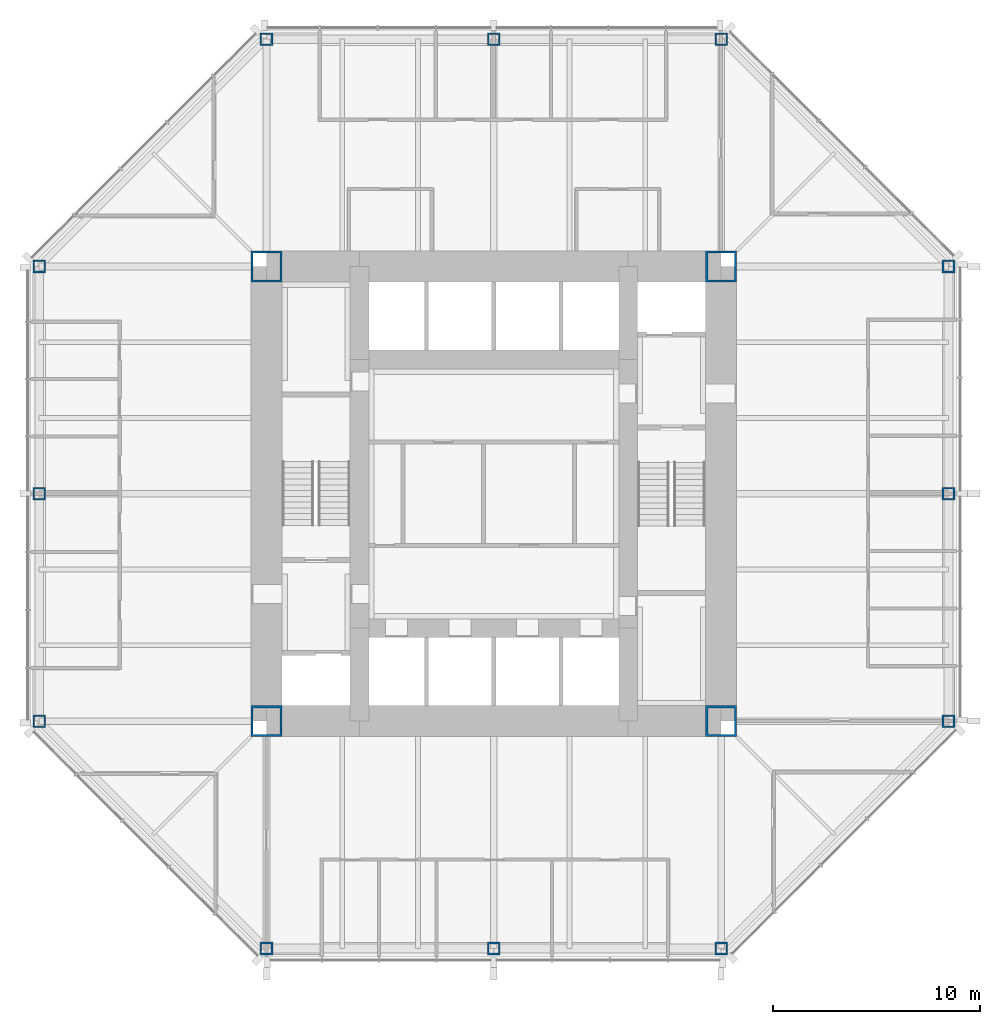
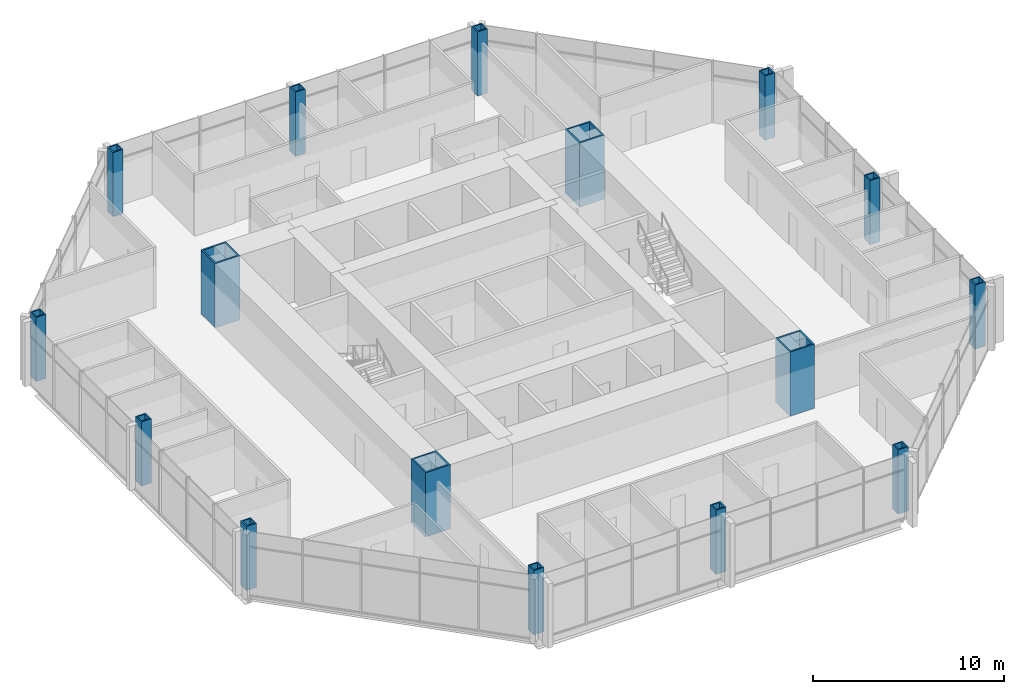
# One storey, part 1 of 12: 16 columns.
"""IFC4 building model written with IfcOpenShell, lengths in metres."""

from ifc_helpers import new_model, si_unit, direction, frame, origin, origin_2d, place, context, subcontext, project, spatial, hollow_rectangle, extrude, material, material_profile, profile_set, type_object, element, save


model = new_model("IFC4")

# Units and contexts
model_context = context("Model", 3, precision=1e-05, world=origin(), true_north=direction((0.0, 1.0)))
body_context = subcontext(model_context, "Body", "Model", "MODEL_VIEW")
ifc_project = project(units=[si_unit("LENGTHUNIT", "METRE"), si_unit("AREAUNIT", "SQUARE_METRE"), si_unit("VOLUMEUNIT", "CUBIC_METRE"), si_unit("PLANEANGLEUNIT", "RADIAN"), si_unit("MASSUNIT", "GRAM", prefix="KILO")], contexts=[model_context])

# Site, building, storey
site_placement = place(None, origin())
site = spatial("IfcSite", under=ifc_project, at=site_placement, CompositionType="ELEMENT")
building_placement = place(site_placement, origin())
building = spatial("IfcBuilding", under=site, at=building_placement, Name="Trevanion Tower", CompositionType="ELEMENT")
storey_placement = place(building_placement, frame((0.0, 0.0, 162.300048828125)))
storey = spatial("IfcBuildingStorey", under=building, at=storey_placement, Name="L38", CompositionType="ELEMENT", Elevation=162.300048828125)

# Columns
ifc_material_1 = material(Name="Steel ASTM A572 Grade 50", Category="steel")
ifc_material_profile_1 = material_profile(ifc_material_1, hollow_rectangle(XDim=0.609619140625, YDim=0.609619140625, WallThickness=0.076171875, at=origin_2d()), Name="BOX24X24X3")
ifc_profile_set_1 = profile_set([ifc_material_profile_1], Name="Steel ASTM A572 Grade 50")
column_type_1 = type_object("IfcColumnType", Name="C4 BOX24X24X3", PredefinedType="COLUMN", material=ifc_profile_set_1)
for number, where, z_axis, x_axis, name in (
    (1, (-22.0, 0.0, 0.0), (0.0, 0.0, 1.0), (0.0, 1.0, 0.0), "C4 4/H L38"),
    (2, (-22.0, -11.0, 0.0), (0.0, 0.0, 1.0), (0.0, 1.0, 0.0), "C4 4/F L38"),
    (3, (-11.0, -22.0, 0.0), (0.0, 0.0, 1.0), (1.0, 0.0, 0.0), "C4 8/B L38"),
    (4, (0.0, -22.0, 0.0), (0.0, 0.0, 1.0), (1.0, 0.0, 0.0), "C4 10/B L38"),
    (5, (11.0, -22.0, 0.0), (0.0, 0.0, 1.0), (1.0, 0.0, 0.0), "C4 12/B L38"),
    (6, (22.0, -11.0, 0.0), (0.0, 0.0, 1.0), (0.0, 1.0, 0.0), "C4 16/F L38"),
    (7, (22.0, 0.0, 0.0), (0.0, 0.0, 1.0), (0.0, 1.0, 0.0), "C4 16/H L38"),
    (8, (22.0, 11.0, 0.0), (0.0, 0.0, 1.0), (0.0, 1.0, 0.0), "C4 16/K L38"),
    (9, (11.0, 22.0, 0.0), (0.0, 0.0, 1.0), (1.0, 0.0, 0.0), "C4 12/P L38"),
    (10, (0.0, 22.0, 0.0), (0.0, 0.0, 1.0), (1.0, 0.0, 0.0), "C4 10/P L38"),
    (11, (-11.0, 22.0, 0.0), (0.0, 0.0, 1.0), (1.0, 0.0, 0.0), "C4 8/P L38"),
    (12, (-22.0, 11.0, 0.0), (0.0, 0.0, 1.0), (0.0, 1.0, 0.0), "C4 4/K L38"),
):
    element("IfcColumn", number, at=place(storey_placement, frame(where, z_axis=z_axis, x_axis=x_axis)), inside=storey, type_object=column_type_1, Name=name, PredefinedType="COLUMN", context=body_context, shape_type="SweptSolid", body=[
        extrude(hollow_rectangle(XDim=0.609619140625, YDim=0.609619140625, WallThickness=0.076171875, at=origin_2d()), origin(), (0.0, 0.0, 1.0), 4.099853515625),
    ])
ifc_material_2 = material(Name="Steel ASTM A572 Grade 50", Category="steel")
ifc_material_profile_2 = material_profile(ifc_material_2, hollow_rectangle(XDim=1.49853515625, YDim=1.49853515625, WallThickness=0.1015625, at=origin_2d()), Name="BOX59X59X4")
ifc_profile_set_2 = profile_set([ifc_material_profile_2], Name="Steel ASTM A572 Grade 50")
column_type_2 = type_object("IfcColumnType", Name="CB1 BOX59X59X4", PredefinedType="COLUMN", material=ifc_profile_set_2)
for number, where, z_axis, x_axis, name in (
    (13, (11.0, 11.0, 0.0), (0.0, 0.0, 1.0), (1.0, 0.0, 0.0), "CB1 NE L38"),
    (14, (-11.0, 11.0, 0.0), (0.0, 0.0, 1.0), (1.0, 0.0, 0.0), "CB1 NW L38"),
    (15, (-11.0, -11.0, 0.0), (0.0, 0.0, 1.0), (1.0, 0.0, 0.0), "CB1 SW L38"),
    (16, (11.0, -11.0, 0.0), (0.0, 0.0, 1.0), (1.0, 0.0, 0.0), "CB1 SE L38"),
):
    element("IfcColumn", number, at=place(storey_placement, frame(where, z_axis=z_axis, x_axis=x_axis)), inside=storey, type_object=column_type_2, Name=name, PredefinedType="COLUMN", context=body_context, shape_type="SweptSolid", body=[
        extrude(hollow_rectangle(XDim=1.49853515625, YDim=1.49853515625, WallThickness=0.1015625, at=origin_2d()), origin(), (0.0, 0.0, 1.0), 4.099853515625),
    ])

save(model, "model.ifc")
